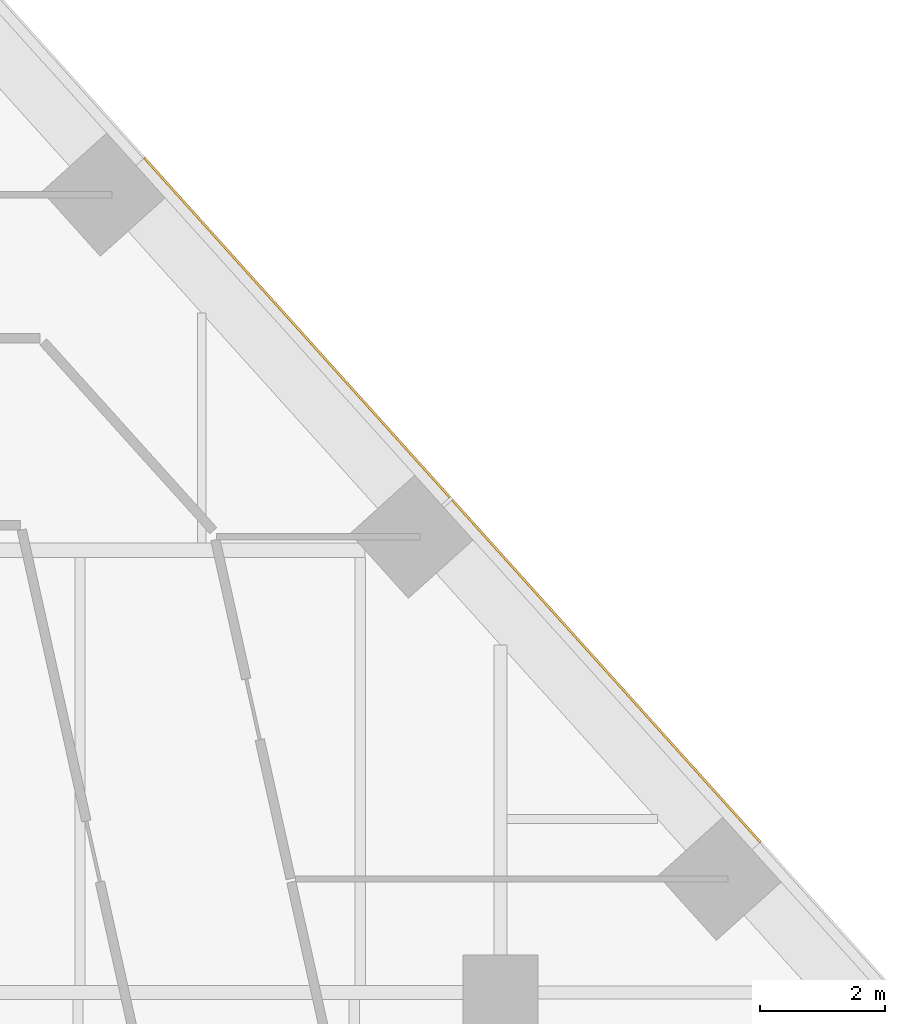
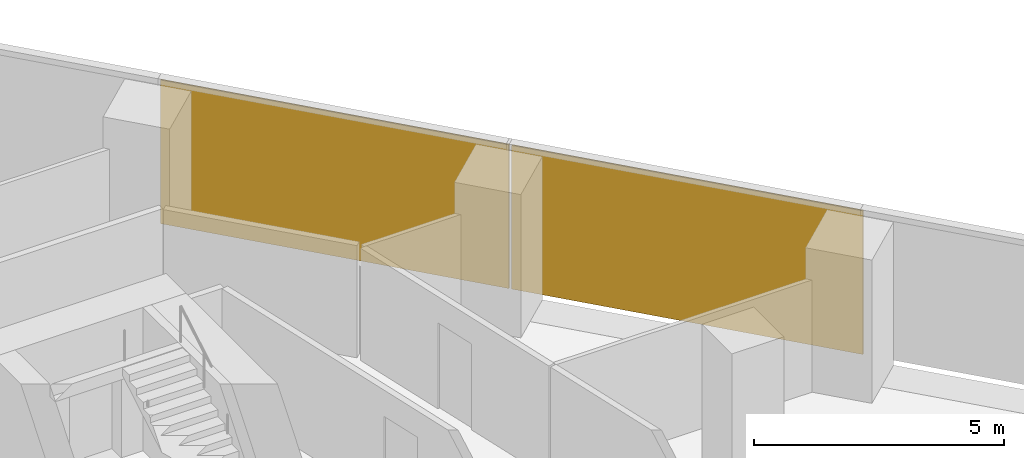
# One storey, part 16 of 16: 2 coverings, 1 element without a shape of its own.
"""IFC4 building model written with IfcOpenShell, lengths in metres."""

import ifcopenshell
import ifcopenshell.guid

model = None  # the IFC model being written
_history = None  # IfcOwnerHistory: only IFC2X3 demands one
_inside = {}  # id of a spatial element -> (the spatial element, [elements in it])
_under = {}  # id of a project, library or spatial element -> (it, [spatial elements below it])
_declared = {}  # id of a project -> (the project, [libraries it declares])
_typed = {}  # id of a type object -> (the type object, [elements of that type])
_made_of = {}  # id of a material, layer set ... -> (it, [elements and type objects made of it])


def new_model(schema):
    """Start an empty IFC model of exactly this schema.

    Asked for "IFC4X3", IfcOpenShell would pick the latest addendum, in which some entities
    have other attributes; the version numbers below select the first issue.
    IFC2X3 requires an IfcOwnerHistory on every rooted entity: one is made here for all.
    """
    global model, _history
    if schema == "IFC4X3":
        model = ifcopenshell.file(schema_version=(4, 3, 0, 0))
    else:
        model = ifcopenshell.file(schema=schema)
    _inside.clear()
    _under.clear()
    _declared.clear()
    _typed.clear()
    _made_of.clear()
    _history = None
    if model.schema == "IFC2X3":
        org = make("IfcOrganization", Name="unknown")
        user = make(
            "IfcPersonAndOrganization",
            ThePerson=make("IfcPerson", FamilyName="unknown"),
            TheOrganization=org,
        )
        app = make(
            "IfcApplication",
            ApplicationDeveloper=org,
            Version="unknown",
            ApplicationFullName="unknown",
            ApplicationIdentifier="unknown",
        )
        _history = make(
            "IfcOwnerHistory",
            OwningUser=user,
            OwningApplication=app,
            ChangeAction="ADDED",
            CreationDate=0,
        )
    return model


def make(cls, **values):
    """One entity of the class cls with the attributes given. An attribute that is None is left unset."""
    return model.create_entity(
        cls, **{name: value for name, value in values.items() if value is not None}
    )


def rooted(cls, **values):
    """An entity with a GlobalId (a new one), such as an element, a storey or a relation."""
    return make(cls, GlobalId=ifcopenshell.guid.new(), OwnerHistory=_history, **values)


def si_unit(unit_type, name, prefix=None):
    """IfcSIUnit, for example si_unit("LENGTHUNIT", "METRE", prefix="MILLI")."""
    return make("IfcSIUnit", UnitType=unit_type, Prefix=prefix, Name=name)


def assignment(units):
    """IfcUnitAssignment: the units of a project."""
    return None if units is None else make("IfcUnitAssignment", Units=units)


def point(xyz):
    """IfcCartesianPoint."""
    return None if xyz is None else make("IfcCartesianPoint", Coordinates=xyz)


def direction(xyz):
    """IfcDirection."""
    return None if xyz is None else make("IfcDirection", DirectionRatios=xyz)


def frame(location, z_axis=None, x_axis=None):
    """IfcAxis2Placement3D, a coordinate frame: its origin and axes. An axis left out is left unset."""
    return make(
        "IfcAxis2Placement3D",
        Location=point(location),
        Axis=direction(z_axis),
        RefDirection=direction(x_axis),
    )


def frame_2d(location, x_axis=None):
    """IfcAxis2Placement2D, a coordinate frame in the plane: its origin and x axis."""
    return make(
        "IfcAxis2Placement2D", Location=point(location), RefDirection=direction(x_axis)
    )


def origin():
    """The frame at (0, 0, 0) with its axes left unset."""
    return frame((0.0, 0.0, 0.0))


def origin_2d():
    """The frame at (0, 0) in the plane with its x axis left unset."""
    return frame_2d((0.0, 0.0))


def place(relative_to, where):
    """IfcLocalPlacement: puts the frame where relative to a parent placement (None: the world)."""
    return make(
        "IfcLocalPlacement", PlacementRelTo=relative_to, RelativePlacement=where
    )


def context(
    kind, dimensions, precision=None, world=None, true_north=None, identifier=None
):
    """IfcGeometricRepresentationContext, for example the 3D "Model" context."""
    return make(
        "IfcGeometricRepresentationContext",
        ContextIdentifier=identifier,
        ContextType=kind,
        CoordinateSpaceDimension=dimensions,
        Precision=precision,
        WorldCoordinateSystem=world,
        TrueNorth=true_north,
    )


def subcontext(parent, identifier, kind, view, scale=None):
    """IfcGeometricRepresentationSubContext, for example "Body" below "Model"."""
    return make(
        "IfcGeometricRepresentationSubContext",
        ContextIdentifier=identifier,
        ContextType=kind,
        ParentContext=parent,
        TargetScale=scale,
        TargetView=view,
    )


def project(units=None, contexts=None):
    """IfcProject with its units and contexts."""
    return rooted(
        "IfcProject",
        Name="project",
        RepresentationContexts=contexts,
        UnitsInContext=assignment(units),
    )


def spatial(cls, under=None, at=None, **own):
    """A site, building, storey or space (cls), placed at a placement, below another one or the project."""
    s = rooted(cls, ObjectPlacement=at, **own)
    if under is not None:
        _under.setdefault(under.id(), (under, []))[1].append(s)
    return s


def profile(cls, at=None, kind="AREA", **sizes):
    """A parametric profile (cls). Its sizes go by their IFC names, for example OverallWidth=200.0."""
    return make(cls, ProfileType=kind, Position=at, **sizes)


def rectangle(**sizes):
    """IfcRectangleProfileDef."""
    return profile("IfcRectangleProfileDef", **sizes)


def extrude(swept, where, along, depth):
    """IfcExtrudedAreaSolid: the profile swept, set in the frame where, extruded along a direction by depth."""
    return make(
        "IfcExtrudedAreaSolid",
        SweptArea=swept,
        Position=where,
        ExtrudedDirection=direction(along),
        Depth=depth,
    )


def shape(context_of_items, identifier, shape_type, items):
    """IfcShapeRepresentation: the items that make up one representation, for example the "Body"."""
    return make(
        "IfcShapeRepresentation",
        ContextOfItems=context_of_items,
        RepresentationIdentifier=identifier,
        RepresentationType=shape_type,
        Items=items,
    )


def material(Name=None, Category=None):
    """IfcMaterial."""
    return make("IfcMaterial", Name=Name, Category=Category)


def layer(
    of_material, thickness, ventilated=None, Name=None, Category=None, Priority=None
):
    """IfcMaterialLayer: one layer of a wall or slab, of a material (None: an air gap)."""
    return make(
        "IfcMaterialLayer",
        Material=of_material,
        LayerThickness=thickness,
        IsVentilated=ventilated,
        Name=Name,
        Category=Category,
        Priority=Priority,
    )


def layer_set(layers, Name=None):
    """IfcMaterialLayerSet."""
    return make("IfcMaterialLayerSet", MaterialLayers=layers, LayerSetName=Name)


def made_of(thing, what):
    """Note that an element or type object is made of a material, layer set ...; save() writes the relation."""
    if what is not None:
        _made_of.setdefault(what.id(), (what, []))[1].append(thing)
    return thing


def type_object(cls, material=None, **own):
    """A type object (cls), such as IfcWallType, which elements share."""
    return made_of(rooted(cls, **own), material)


def element(
    cls,
    number,
    at=None,
    inside=None,
    cuts=None,
    type_object=None,
    material=None,
    context=None,
    identifier="Body",
    shape_type=None,
    held_by="IfcProductDefinitionShape",
    body=None,
    shapes=None,
    **own,
):
    """One element of the class cls, such as IfcWall. Its Tag is "e" and its number.

    at: its placement. inside: the storey or other place that contains it. cuts: it is an
    opening in that element (IfcRelVoidsElement). A single representation is given by context,
    identifier, shape_type and body (its items); several are given by shapes. held_by: the class
    of the entity that holds the representations. save() writes the other relations.
    """
    e = rooted(cls, Tag="e%d" % number, ObjectPlacement=at, **own)
    if body is not None:
        shapes = [shape(context, identifier, shape_type, body)]
    if shapes is not None:
        e.Representation = make(held_by, Representations=shapes)
    if inside is not None:
        _inside.setdefault(inside.id(), (inside, []))[1].append(e)
    if cuts is not None:
        rooted(
            "IfcRelVoidsElement", RelatingBuildingElement=cuts, RelatedOpeningElement=e
        )
    if type_object is not None:
        _typed.setdefault(type_object.id(), (type_object, []))[1].append(e)
    return made_of(e, material)


def aggregate(whole, parts):
    """IfcRelAggregates: a whole, such as a stair, and the parts it consists of."""
    return rooted("IfcRelAggregates", RelatingObject=whole, RelatedObjects=parts)


def save(model, path):
    """Write the relations noted so far, then the file.

    IfcRelAggregates (storeys below a building ...), IfcRelContainedInSpatialStructure (elements
    in a storey), IfcRelDefinesByType, IfcRelAssociatesMaterial and IfcRelDeclares: one each for
    every whole, place, type object, material and project.
    """
    for whole, parts in _under.values():
        aggregate(whole, parts)
    for where, things in _inside.values():
        rooted(
            "IfcRelContainedInSpatialStructure",
            RelatedElements=things,
            RelatingStructure=where,
        )
    for kind, things in _typed.values():
        rooted("IfcRelDefinesByType", RelatedObjects=things, RelatingType=kind)
    for what, things in _made_of.values():
        rooted("IfcRelAssociatesMaterial", RelatedObjects=things, RelatingMaterial=what)
    for by, libraries in _declared.values():
        rooted("IfcRelDeclares", RelatingContext=by, RelatedDefinitions=libraries)
    model.write(path)


model = new_model("IFC4")

# Units and contexts
model_context = context("Model", 3, precision=1e-05, world=origin(), true_north=direction((0.0, 1.0)))
body_context = subcontext(model_context, "Body", "Model", "MODEL_VIEW")
ifc_project = project(units=[si_unit("LENGTHUNIT", "METRE"), si_unit("AREAUNIT", "SQUARE_METRE"), si_unit("VOLUMEUNIT", "CUBIC_METRE"), si_unit("PLANEANGLEUNIT", "RADIAN"), si_unit("MASSUNIT", "GRAM", prefix="KILO")], contexts=[model_context])

# Site, building, storey
site_placement = place(None, origin())
site = spatial("IfcSite", under=ifc_project, at=site_placement, CompositionType="ELEMENT")
building_placement = place(site_placement, origin())
building = spatial("IfcBuilding", under=site, at=building_placement, Name="Isthmus Gate Tower", CompositionType="ELEMENT")
storey_placement = place(building_placement, frame((0.0, 0.0, 140.75)))
storey = spatial("IfcBuildingStorey", under=building, at=storey_placement, Name="L34", CompositionType="ELEMENT", Elevation=140.75)

# Curtain wall, coverings
ifc_material_1 = material(Name="Aluminium, pale champagne anodised", Category="aluminium")
ifc_layer_1 = layer(ifc_material_1, 0.199951171875)
ifc_layer_set_1 = layer_set([ifc_layer_1], Name="CW-1 UNITISED CURTAIN WALL 200 DEEP")
curtain_wall_type = type_object("IfcCurtainWallType", Name="CW-1 UNITISED CURTAIN WALL 200 DEEP", PredefinedType="NOTDEFINED", material=ifc_layer_set_1)
curtain_wall_placement = place(storey_placement, origin())
curtain_wall = element("IfcCurtainWall", 1, at=curtain_wall_placement, inside=storey, type_object=curtain_wall_type, Name="CW-1 NE L34", PredefinedType="NOTDEFINED")
ifc_material_2 = material(Name="Aluminium composite panel, pale champagne anodised", Category="aluminium")
ifc_layer_2 = layer(ifc_material_2, 0.035888671875)
ifc_layer_set_2 = layer_set([ifc_layer_2], Name="CW-1 PALE METAL PANEL 36")
covering_type = type_object("IfcCoveringType", Name="CW-1 PALE METAL PANEL 36", PredefinedType="CLADDING", material=ifc_layer_set_2)
covering_1_placement = place(storey_placement, frame((25.70068359375, 12.659423828125, 0.0), z_axis=(0.0, 0.0, 1.0), x_axis=(-0.669130606359, 0.743144825477, 0.0)))
covering_1 = element("IfcCovering", 2, at=covering_1_placement, type_object=covering_type, Name="CW-1 pale metal panel", PredefinedType="CLADDING", context=body_context, shape_type="SweptSolid", body=[
    extrude(rectangle(XDim=7.390869140625, YDim=0.035888671875, at=origin_2d()), origin(), (0.0, 0.0, 1.0), 3.510009765625),
])
covering_2_placement = place(storey_placement, frame((20.735107421875, 18.17431640625, 0.0), z_axis=(0.0, 0.0, 1.0), x_axis=(-0.669130606359, 0.743144825477, 0.0)))
covering_2 = element("IfcCovering", 3, at=covering_2_placement, type_object=covering_type, Name="CW-1 pale metal panel", PredefinedType="CLADDING", context=body_context, shape_type="SweptSolid", body=[
    extrude(rectangle(XDim=7.330810546875, YDim=0.035888671875, at=origin_2d()), origin(), (0.0, 0.0, 1.0), 3.510009765625),
])
aggregate(curtain_wall, [covering_1, covering_2])

save(model, "model.ifc")
